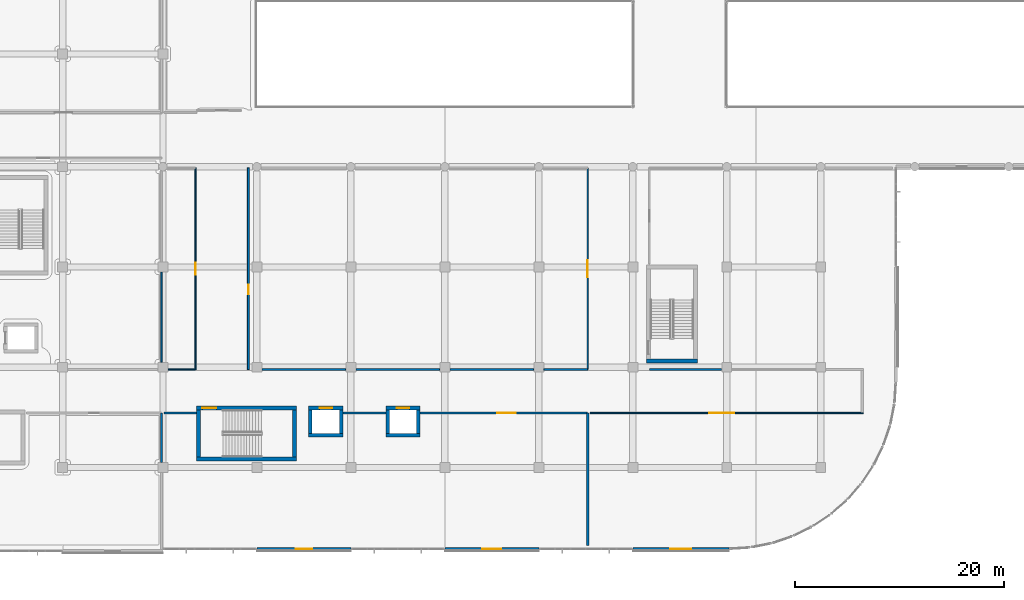
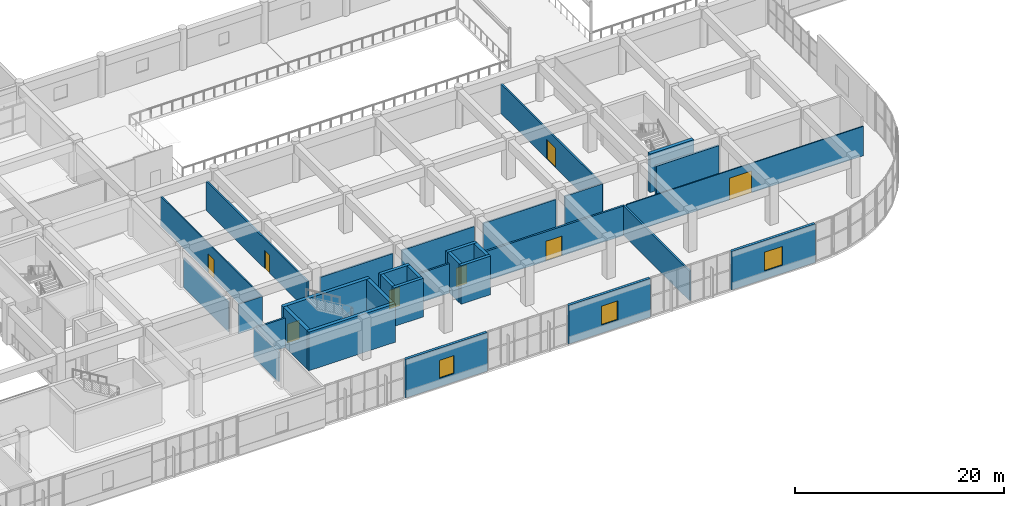
# One storey, part 54 of 86: 32 walls, 8 doors, 3 windows, 11 openings.
"""IFC4 building model written with IfcOpenShell, lengths in metres."""

from ifc_helpers import new_model, si_unit, direction, frame, frame_2d, origin, place, context, subcontext, project, spatial, rectangle, extrude, material, layer, layer_set, type_object, element, fill, save


model = new_model("IFC4")

# Units and contexts
model_context = context("Model", 3, precision=1e-05, world=origin(), true_north=direction((0.0, 1.0)))
body_context = subcontext(model_context, "Body", "Model", "MODEL_VIEW")
ifc_project = project(units=[si_unit("LENGTHUNIT", "METRE"), si_unit("AREAUNIT", "SQUARE_METRE"), si_unit("VOLUMEUNIT", "CUBIC_METRE"), si_unit("PLANEANGLEUNIT", "RADIAN"), si_unit("MASSUNIT", "GRAM", prefix="KILO")], contexts=[model_context])

# Site, building, storey
site_placement = place(None, origin())
site = spatial("IfcSite", under=ifc_project, at=site_placement, CompositionType="ELEMENT")
building_placement = place(site_placement, origin())
building = spatial("IfcBuilding", under=site, at=building_placement, Name="Cendralis Terraced Arcade", CompositionType="ELEMENT")
storey_placement = place(building_placement, frame((0.0, 0.0, 5.39990234375)))
storey = spatial("IfcBuildingStorey", under=building, at=storey_placement, Name="L01", CompositionType="ELEMENT", Elevation=5.39990234375)

# Walls
ifc_material_1 = material(Name="Gypsum plasterboard acoustic partition", Category="concrete")
ifc_layer_1 = layer(ifc_material_1, 0.195068359375, Name="WL-ACOU-195")
ifc_layer_set_1 = layer_set([ifc_layer_1], Name="Gypsum plasterboard acoustic partition")
wall_type_1 = type_object("IfcWallType", Name="WL-ACOU-195", PredefinedType="PARTITIONING", material=ifc_layer_set_1)
wall_1_placement = place(storey_placement, frame((67.320068359375, 14.820068359375, 0.0), z_axis=(0.0, 0.0, 1.0), x_axis=(1.0, 0.0, 0.0)))
element("IfcWall", 1, at=wall_1_placement, inside=storey, type_object=wall_type_1, Name="Interior Partition Wall IW-L01-0384", PredefinedType="PARTITIONING", context=body_context, shape_type="SweptSolid", body=[
    extrude(rectangle(XDim=3.099853515625, YDim=0.195068359375, at=frame_2d((1.5498046875, 0.0))), origin(), (0.0, 0.0, 1.0), 3.445068359375),
])
ifc_layer_2 = layer(ifc_material_1, 0.199951171875, Name="WL-ACOU-200")
ifc_layer_set_2 = layer_set([ifc_layer_2], Name="Gypsum plasterboard acoustic partition")
wall_type_2 = type_object("IfcWallType", Name="WL-ACOU-200", PredefinedType="PARTITIONING", material=ifc_layer_set_2)
wall_2_placement = place(storey_placement, frame((84.43994140625, 14.820068359375, 0.0), z_axis=(0.0, 0.0, 1.0), x_axis=(1.0, 0.0, 0.0)))
element("IfcWall", 2, at=wall_2_placement, inside=storey, type_object=wall_type_2, Name="Interior Partition Wall IW-L01-0383", PredefinedType="PARTITIONING", context=body_context, shape_type="SweptSolid", body=[
    extrude(rectangle(XDim=4.1201171875, YDim=0.199951171875, at=frame_2d((2.06005859375, 0.0))), origin(), (0.0, 0.0, 1.0), 3.445068359375),
])
ifc_layer_3 = layer(ifc_material_1, 0.205078125, Name="WL-ACOU-205")
ifc_layer_set_3 = layer_set([ifc_layer_3], Name="Gypsum plasterboard acoustic partition")
wall_type_3 = type_object("IfcWallType", Name="WL-ACOU-205", PredefinedType="PARTITIONING", material=ifc_layer_set_3)
wall_3_placement = place(storey_placement, frame((67.080078125, 14.820068359375, 0.0), z_axis=(0.0, 0.0, 1.0), x_axis=(0.0, -1.0, 0.0)))
element("IfcWall", 3, at=wall_3_placement, inside=storey, type_object=wall_type_3, Name="Interior Partition Wall IW-L01-0340", PredefinedType="PARTITIONING", context=body_context, shape_type="SweptSolid", body=[
    extrude(rectangle(XDim=4.72509765625, YDim=0.205078125, at=frame_2d((2.362548828125, 0.0))), origin(), (0.0, 0.0, 1.0), 3.445068359375),
])
wall_4_placement = place(storey_placement, frame((107.8798828125, 14.820068359375, 0.0), z_axis=(0.0, 0.0, 1.0), x_axis=(0.0, -1.0, 0.0)))
element("IfcWall", 4, at=wall_4_placement, inside=storey, type_object=wall_type_3, Name="Interior Partition Wall IW-L01-0382", PredefinedType="PARTITIONING", context=body_context, shape_type="SweptSolid", body=[
    extrude(rectangle(XDim=12.68017578125, YDim=0.205078125, at=frame_2d((6.340087890625, 0.0))), origin(), (0.0, 0.0, 1.0), 3.445068359375),
])

# Wall, opening, door
ifc_layer_4 = layer(ifc_material_1, 0.2099609375, Name="WL-ACOU-210")
ifc_layer_set_4 = layer_set([ifc_layer_4], Name="Gypsum plasterboard acoustic partition")
wall_type_4 = type_object("IfcWallType", Name="WL-ACOU-210", PredefinedType="PARTITIONING", material=ifc_layer_set_4)
wall_5_placement = place(storey_placement, frame((91.840087890625, 14.820068359375, 0.0), z_axis=(0.0, 0.0, 1.0), x_axis=(1.0, 0.0, 0.0)))
wall_5 = element("IfcWall", 5, at=wall_5_placement, inside=storey, type_object=wall_type_4, Name="Interior Partition Wall IW-L01-0381", PredefinedType="PARTITIONING", context=body_context, shape_type="SweptSolid", body=[
    extrude(rectangle(XDim=16.039794921875, YDim=0.2099609375, at=frame_2d((8.02001953125, 0.0))), origin(), (0.0, 0.0, 1.0), 3.445068359375),
])
opening_1_placement = place(wall_5_placement, frame((7.36328125, 0.0, 0.0)))
opening_1 = element("IfcOpeningElement", 6, at=opening_1_placement, cuts=wall_5, Name="Opening D-L01-107", PredefinedType="OPENING", context=body_context, shape_type="SweptSolid", body=[
    extrude(rectangle(XDim=1.780029296875, YDim=2.320068359375, at=frame_2d((0.89013671875, 1.16015625))), frame((0.0, 0.116943359375, 0.0), z_axis=(0.0, -1.0, 0.0), x_axis=(1.0, 0.0, 0.0)), (0.0, 0.0, 1.0), 0.23388671875),
])
ifc_material_2 = material(Name="Solid core Andean oak veneer door leaf", Category="aluminium")
door_type_1 = type_object("IfcDoorType", Name="ID-DEP-1780x2320", OperationType="DOUBLE_DOOR_SINGLE_SWING", PredefinedType="DOOR", material=ifc_material_2)
door_1_placement = place(opening_1_placement, origin())
door_1 = element("IfcDoor", 7, at=door_1_placement, inside=storey, type_object=door_type_1, Name="Gourmet Market Stalls and Tea Salon Door D-L01-107", OperationType="DOUBLE_DOOR_SINGLE_SWING", OverallHeight=2.320068359375, OverallWidth=1.780029296875, PredefinedType="DOOR", context=body_context, shape_type="SweptSolid", body=[
    extrude(rectangle(XDim=1.780029296875, YDim=2.320068359375, at=frame_2d((0.89013671875, 1.16015625))), frame((0.0, 0.02490234375, 0.0), z_axis=(0.0, -1.0, 0.0), x_axis=(1.0, 0.0, 0.0)), (0.0, 0.0, 1.0), 0.050048828125),
])
fill(opening_1, door_1)

# Walls
ifc_material_3 = material(Name="Autoclaved aerated concrete blockwork", Category="masonry")
ifc_layer_5 = layer(ifc_material_3, 0.22802734375, Name="WL-ACOU-228")
ifc_layer_set_5 = layer_set([ifc_layer_5], Name="Autoclaved aerated concrete blockwork")
wall_type_5 = type_object("IfcWallType", Name="WL-ACOU-228", PredefinedType="PARTITIONING", material=ifc_layer_set_5)
wall_6_placement = place(storey_placement, frame((120.705078125, 18.97998046875, 0.0), z_axis=(0.0, 0.0, 1.0), x_axis=(-1.0, 0.0, 0.0)))
element("IfcWall", 8, at=wall_6_placement, inside=storey, type_object=wall_type_5, Name="Interior Partition Wall IW-L01-0402", PredefinedType="PARTITIONING", context=body_context, shape_type="SweptSolid", body=[
    extrude(rectangle(XDim=6.925048828125, YDim=0.22802734375, at=frame_2d((3.46240234375, 0.0))), origin(), (0.0, 0.0, 1.0), 3.445068359375),
])
ifc_material_4 = material(Name="Concrete f'c 42 MPa", Category="concrete")
ifc_layer_6 = layer(ifc_material_4, 0.340087890625, Name="WL-CORE-340")
ifc_layer_set_6 = layer_set([ifc_layer_6], Name="Concrete f'c 42 MPa")
wall_type_6 = type_object("IfcWallType", Name="WL-CORE-340", PredefinedType="SHEAR", material=ifc_layer_set_6)
wall_7_placement = place(storey_placement, frame((81.159912109375, 12.705078125, 0.0), z_axis=(0.0, 0.0, 1.0), x_axis=(1.0, 0.0, 0.0)))
element("IfcWall", 9, at=wall_7_placement, inside=storey, type_object=wall_type_6, Name="Lift PL-07 Reinforced Concrete Shaft Wall (L01)", PredefinedType="SHEAR", context=body_context, shape_type="SweptSolid", body=[
    extrude(rectangle(XDim=3.280029296875, YDim=0.340087890625, at=frame_2d((1.64013671875, 0.0))), origin(), (0.0, 0.0, 1.0), 4.505126953125),
])

# Wall, opening, door
wall_8_placement = place(storey_placement, frame((81.159912109375, 15.294921875, 0.0), z_axis=(0.0, 0.0, 1.0), x_axis=(1.0, 0.0, 0.0)))
wall_8 = element("IfcWall", 10, at=wall_8_placement, inside=storey, type_object=wall_type_6, Name="Lift PL-07 Reinforced Concrete Shaft Wall (L01)", PredefinedType="SHEAR", context=body_context, shape_type="SweptSolid", body=[
    extrude(rectangle(XDim=3.280029296875, YDim=0.340087890625, at=frame_2d((1.64013671875, 0.0))), origin(), (0.0, 0.0, 1.0), 4.505126953125),
])
opening_2_placement = place(wall_8_placement, frame((1.0400390625, 0.0, 0.0)))
opening_2 = element("IfcOpeningElement", 11, at=opening_2_placement, cuts=wall_8, Name="Opening LD-PL-07-L01", PredefinedType="OPENING", context=body_context, shape_type="SweptSolid", body=[
    extrude(rectangle(XDim=1.199951171875, YDim=2.199951171875, at=frame_2d((0.60009765625, 1.10009765625))), frame((0.0, 0.18212890625, 0.0), z_axis=(0.0, -1.0, 0.0), x_axis=(1.0, 0.0, 0.0)), (0.0, 0.0, 1.0), 0.364013671875),
])
ifc_material_5 = material(Name="Anodised aluminium sliding door assembly", Category="aluminium")
door_type_2 = type_object("IfcDoorType", Name="ID-LD-PX-1200x2200", OperationType="DOUBLE_DOOR_SLIDING", PredefinedType="DOOR", material=ifc_material_5)
door_2_placement = place(opening_2_placement, origin())
door_2 = element("IfcDoor", 12, at=door_2_placement, inside=storey, type_object=door_type_2, Name="Lift PL-07 Sliding Landing Door (L01)", OperationType="DOUBLE_DOOR_SLIDING", OverallHeight=2.199951171875, OverallWidth=1.199951171875, PredefinedType="DOOR", context=body_context, shape_type="SweptSolid", body=[
    extrude(rectangle(XDim=1.199951171875, YDim=2.199951171875, at=frame_2d((0.60009765625, 1.10009765625))), frame((0.0, 0.02490234375, 0.0), z_axis=(0.0, -1.0, 0.0), x_axis=(1.0, 0.0, 0.0)), (0.0, 0.0, 1.0), 0.050048828125),
])
fill(opening_2, door_2)

# Walls
for number, where, z_axis, x_axis, name in (
    (13, (81.330078125, 12.875, 0.0), (0.0, 0.0, 1.0), (0.0, 1.0, 0.0), "Lift PL-07 Reinforced Concrete Shaft Wall (L01)"),
    (14, (84.27001953125, 12.875, 0.0), (0.0, 0.0, 1.0), (0.0, 1.0, 0.0), "Lift PL-07 Reinforced Concrete Shaft Wall (L01)"),
):
    element("IfcWall", number, at=place(storey_placement, frame(where, z_axis=z_axis, x_axis=x_axis)), inside=storey, type_object=wall_type_6, Name=name, PredefinedType="SHEAR", context=body_context, shape_type="SweptSolid", body=[
        extrude(rectangle(XDim=2.25, YDim=0.340087890625, at=frame_2d((1.125, 0.0))), origin(), (0.0, 0.0, 1.0), 4.505126953125),
    ])
wall_9_placement = place(storey_placement, frame((88.56005859375, 12.705078125, 0.0), z_axis=(0.0, 0.0, 1.0), x_axis=(1.0, 0.0, 0.0)))
element("IfcWall", 15, at=wall_9_placement, inside=storey, type_object=wall_type_6, Name="Lift PL-08 Reinforced Concrete Shaft Wall (L01)", PredefinedType="SHEAR", context=body_context, shape_type="SweptSolid", body=[
    extrude(rectangle(XDim=3.280029296875, YDim=0.340087890625, at=frame_2d((1.64013671875, 0.0))), origin(), (0.0, 0.0, 1.0), 4.505126953125),
])

# Wall, opening, door
wall_10_placement = place(storey_placement, frame((88.56005859375, 15.294921875, 0.0), z_axis=(0.0, 0.0, 1.0), x_axis=(1.0, 0.0, 0.0)))
wall_10 = element("IfcWall", 16, at=wall_10_placement, inside=storey, type_object=wall_type_6, Name="Lift PL-08 Reinforced Concrete Shaft Wall (L01)", PredefinedType="SHEAR", context=body_context, shape_type="SweptSolid", body=[
    extrude(rectangle(XDim=3.280029296875, YDim=0.340087890625, at=frame_2d((1.64013671875, 0.0))), origin(), (0.0, 0.0, 1.0), 4.505126953125),
])
opening_3_placement = place(wall_10_placement, frame((1.0400390625, 0.0, 0.0)))
opening_3 = element("IfcOpeningElement", 17, at=opening_3_placement, cuts=wall_10, Name="Opening LD-PL-08-L01", PredefinedType="OPENING", context=body_context, shape_type="SweptSolid", body=[
    extrude(rectangle(XDim=1.199951171875, YDim=2.199951171875, at=frame_2d((0.60009765625, 1.10009765625))), frame((0.0, 0.18212890625, 0.0), z_axis=(0.0, -1.0, 0.0), x_axis=(1.0, 0.0, 0.0)), (0.0, 0.0, 1.0), 0.364013671875),
])
door_3_placement = place(opening_3_placement, origin())
door_3 = element("IfcDoor", 18, at=door_3_placement, inside=storey, type_object=door_type_2, Name="Lift PL-08 Sliding Landing Door (L01)", OperationType="DOUBLE_DOOR_SLIDING", OverallHeight=2.199951171875, OverallWidth=1.199951171875, PredefinedType="DOOR", context=body_context, shape_type="SweptSolid", body=[
    extrude(rectangle(XDim=1.199951171875, YDim=2.199951171875, at=frame_2d((0.60009765625, 1.10009765625))), frame((0.0, 0.02490234375, 0.0), z_axis=(0.0, -1.0, 0.0), x_axis=(1.0, 0.0, 0.0)), (0.0, 0.0, 1.0), 0.050048828125),
])
fill(opening_3, door_3)

# Walls
for number, where, z_axis, x_axis, name in (
    (19, (88.72998046875, 12.875, 0.0), (0.0, 0.0, 1.0), (0.0, 1.0, 0.0), "Lift PL-08 Reinforced Concrete Shaft Wall (L01)"),
    (20, (91.669921875, 12.875, 0.0), (0.0, 0.0, 1.0), (0.0, 1.0, 0.0), "Lift PL-08 Reinforced Concrete Shaft Wall (L01)"),
):
    element("IfcWall", number, at=place(storey_placement, frame(where, z_axis=z_axis, x_axis=x_axis)), inside=storey, type_object=wall_type_6, Name=name, PredefinedType="SHEAR", context=body_context, shape_type="SweptSolid", body=[
        extrude(rectangle(XDim=2.25, YDim=0.340087890625, at=frame_2d((1.125, 0.0))), origin(), (0.0, 0.0, 1.0), 4.505126953125),
    ])
ifc_layer_7 = layer(ifc_material_4, 0.3798828125, Name="WL-CORE-380")
ifc_layer_set_7 = layer_set([ifc_layer_7], Name="Concrete f'c 42 MPa")
wall_type_7 = type_object("IfcWallType", Name="WL-CORE-380", PredefinedType="SHEAR", material=ifc_layer_set_7)
wall_11_placement = place(storey_placement, frame((70.419921875, 10.409912109375, 0.0), z_axis=(0.0, 0.0, 1.0), x_axis=(1.0, 0.0, 0.0)))
element("IfcWall", 21, at=wall_11_placement, inside=storey, type_object=wall_type_7, Name="Stair Core Reinforced Concrete Shear Wall SW-ST-08-L01-S", PredefinedType="SHEAR", context=body_context, shape_type="SweptSolid", body=[
    extrude(rectangle(XDim=9.56005859375, YDim=0.3798828125, at=frame_2d((4.780029296875, 0.0))), origin(), (0.0, 0.0, 1.0), 4.505126953125),
])

# Wall, opening, door
wall_12_placement = place(storey_placement, frame((70.419921875, 15.2900390625, 0.0), z_axis=(0.0, 0.0, 1.0), x_axis=(1.0, 0.0, 0.0)))
wall_12 = element("IfcWall", 22, at=wall_12_placement, inside=storey, type_object=wall_type_7, Name="Stair Core Reinforced Concrete Shear Wall SW-ST-08-L01-N", PredefinedType="SHEAR", context=body_context, shape_type="SweptSolid", body=[
    extrude(rectangle(XDim=9.56005859375, YDim=0.3798828125, at=frame_2d((4.780029296875, 0.0))), origin(), (0.0, 0.0, 1.0), 4.505126953125),
])
opening_4_placement = place(wall_12_placement, frame((0.550048828125, 0.0, 0.0)))
opening_4 = element("IfcOpeningElement", 23, at=opening_4_placement, cuts=wall_12, Name="Opening D-ST-08-L01", PredefinedType="OPENING", context=body_context, shape_type="SweptSolid", body=[
    extrude(rectangle(XDim=1.35009765625, YDim=2.199951171875, at=frame_2d((0.675048828125, 1.10009765625))), frame((0.0, 0.201904296875, 0.0), z_axis=(0.0, -1.0, 0.0), x_axis=(1.0, 0.0, 0.0)), (0.0, 0.0, 1.0), 0.40380859375),
])
ifc_material_6 = material(Name="Galvanised fire-rated steel door assembly", Category="steel")
door_type_3 = type_object("IfcDoorType", Name="ID-ST-1350x2200", OperationType="NOTDEFINED", PredefinedType="DOOR", material=ifc_material_6)
door_4_placement = place(opening_4_placement, frame((1.35009765625, 0.0, 0.0), z_axis=(0.0, 0.0, 1.0), x_axis=(-1.0, 0.0, 0.0)))
door_4 = element("IfcDoor", 24, at=door_4_placement, inside=storey, type_object=door_type_3, Name="Protected Stair ST-08 Fire Door (L01)", OperationType="SINGLE_SWING_LEFT", OverallHeight=2.199951171875, OverallWidth=1.35009765625, PredefinedType="DOOR", context=body_context, shape_type="SweptSolid", body=[
    extrude(rectangle(XDim=1.35009765625, YDim=2.199951171875, at=frame_2d((0.675048828125, 1.10009765625))), frame((0.0, 0.02490234375, 0.0), z_axis=(0.0, -1.0, 0.0), x_axis=(1.0, 0.0, 0.0)), (0.0, 0.0, 1.0), 0.050048828125),
])
fill(opening_4, door_4)

# Walls
for number, where, z_axis, x_axis, name in (
    (25, (79.7900390625, 10.60009765625, 0.0), (0.0, 0.0, 1.0), (0.0, 1.0, 0.0), "Stair Core Reinforced Concrete Shear Wall SW-ST-08-L01-E"),
    (26, (70.610107421875, 10.60009765625, 0.0), (0.0, 0.0, 1.0), (0.0, 1.0, 0.0), "Stair Core Reinforced Concrete Shear Wall SW-ST-08-L01-W"),
):
    element("IfcWall", number, at=place(storey_placement, frame(where, z_axis=z_axis, x_axis=x_axis)), inside=storey, type_object=wall_type_7, Name=name, PredefinedType="SHEAR", context=body_context, shape_type="SweptSolid", body=[
        extrude(rectangle(XDim=4.5, YDim=0.3798828125, at=frame_2d((2.25, 0.0))), origin(), (0.0, 0.0, 1.0), 4.505126953125),
    ])
wall_13_placement = place(storey_placement, frame((113.52001953125, 19.81005859375, 0.0), z_axis=(0.0, 0.0, 1.0), x_axis=(1.0, 0.0, 0.0)))
element("IfcWall", 27, at=wall_13_placement, inside=storey, type_object=wall_type_7, Name="Stair Core Reinforced Concrete Shear Wall SW-ST-09-L01-S", PredefinedType="SHEAR", context=body_context, shape_type="SweptSolid", body=[
    extrude(rectangle(XDim=4.85986328125, YDim=0.3798828125, at=frame_2d((2.429931640625, 0.0))), origin(), (0.0, 0.0, 1.0), 4.505126953125),
])

# Wall, opening, window
ifc_material_7 = material(Name="Terracotta clay masonry", Category="masonry")
ifc_layer_8 = layer(ifc_material_7, 0.2900390625, Name="WL-EXT-TER-290")
ifc_layer_set_8 = layer_set([ifc_layer_8], Name="Terracotta clay masonry")
wall_type_8 = type_object("IfcWallType", Name="WL-EXT-TER-290", PredefinedType="SOLIDWALL", material=ifc_layer_set_8)
wall_14_placement = place(storey_placement, frame((121.39990234375, 1.800048828125, 0.0), z_axis=(0.0, 0.0, 1.0), x_axis=(-1.0, 0.0, 0.0)))
wall_14 = element("IfcWall", 28, at=wall_14_placement, inside=storey, type_object=wall_type_8, Name="Exterior Architectural Wall EW-L01-0119", PredefinedType="SOLIDWALL", context=body_context, shape_type="SweptSolid", body=[
    extrude(rectangle(XDim=9.199951171875, YDim=0.2900390625, at=frame_2d((4.60009765625, 0.0))), origin(), (0.0, 0.0, 1.0), 4.505126953125),
])
opening_5_placement = place(wall_14_placement, frame((3.60009765625, 0.0, 0.949951171875)))
opening_5 = element("IfcOpeningElement", 29, at=opening_5_placement, cuts=wall_14, Name="Opening W-03", PredefinedType="OPENING", context=body_context, shape_type="SweptSolid", body=[
    extrude(rectangle(XDim=2.0, YDim=2.199951171875, at=frame_2d((1.0, 1.10009765625))), frame((0.0, 0.156982421875, 0.0), z_axis=(0.0, -1.0, 0.0), x_axis=(1.0, 0.0, 0.0)), (0.0, 0.0, 1.0), 0.31396484375),
])
ifc_material_8 = material(Name="Tempered solar control laminated glass", Category="glass")
window_type_1 = type_object("IfcWindowType", Name="WN-F1-2000x2200", PartitioningType="SINGLE_PANEL", PredefinedType="WINDOW", material=ifc_material_8)
window_1_placement = place(opening_5_placement, origin())
window_1 = element("IfcWindow", 30, at=window_1_placement, inside=storey, type_object=window_type_1, Name="Exterior Solar-Control Window WN-L01-0071", OverallHeight=2.199951171875, OverallWidth=2.0, PartitioningType="SINGLE_PANEL", PredefinedType="WINDOW", context=body_context, shape_type="SweptSolid", body=[
    extrude(rectangle(XDim=2.0, YDim=2.199951171875, at=frame_2d((1.0, 1.10009765625))), frame((0.0, 0.030029296875, 0.0), z_axis=(0.0, -1.0, 0.0), x_axis=(1.0, 0.0, 0.0)), (0.0, 0.0, 1.0), 0.06005859375),
])
fill(opening_5, window_1)

wall_15_placement = place(storey_placement, frame((103.199951171875, 1.800048828125, 0.0), z_axis=(0.0, 0.0, 1.0), x_axis=(-1.0, 0.0, 0.0)))
wall_15 = element("IfcWall", 31, at=wall_15_placement, inside=storey, type_object=wall_type_8, Name="Exterior Architectural Wall EW-L01-0120", PredefinedType="SOLIDWALL", context=body_context, shape_type="SweptSolid", body=[
    extrude(rectangle(XDim=9.0, YDim=0.2900390625, at=frame_2d((4.5, 0.0))), origin(), (0.0, 0.0, 1.0), 4.505126953125),
])
opening_6_placement = place(wall_15_placement, frame((3.60009765625, 0.0, 0.949951171875)))
opening_6 = element("IfcOpeningElement", 32, at=opening_6_placement, cuts=wall_15, Name="Opening W-04", PredefinedType="OPENING", context=body_context, shape_type="SweptSolid", body=[
    extrude(rectangle(XDim=1.800048828125, YDim=2.199951171875, at=frame_2d((0.89990234375, 1.10009765625))), frame((0.0, 0.156982421875, 0.0), z_axis=(0.0, -1.0, 0.0), x_axis=(1.0, 0.0, 0.0)), (0.0, 0.0, 1.0), 0.31396484375),
])
window_type_2 = type_object("IfcWindowType", Name="WN-F1-1800x2200", PartitioningType="SINGLE_PANEL", PredefinedType="WINDOW", material=ifc_material_8)
window_2_placement = place(opening_6_placement, origin())
window_2 = element("IfcWindow", 33, at=window_2_placement, inside=storey, type_object=window_type_2, Name="Exterior Solar-Control Window WN-L01-0072", OverallHeight=2.199951171875, OverallWidth=1.800048828125, PartitioningType="SINGLE_PANEL", PredefinedType="WINDOW", context=body_context, shape_type="SweptSolid", body=[
    extrude(rectangle(XDim=1.800048828125, YDim=2.199951171875, at=frame_2d((0.89990234375, 1.10009765625))), frame((0.0, 0.030029296875, 0.0), z_axis=(0.0, -1.0, 0.0), x_axis=(1.0, 0.0, 0.0)), (0.0, 0.0, 1.0), 0.06005859375),
])
fill(opening_6, window_2)

wall_16_placement = place(storey_placement, frame((85.199951171875, 1.800048828125, 0.0), z_axis=(0.0, 0.0, 1.0), x_axis=(-1.0, 0.0, 0.0)))
wall_16 = element("IfcWall", 34, at=wall_16_placement, inside=storey, type_object=wall_type_8, Name="Exterior Architectural Wall EW-L01-0121", PredefinedType="SOLIDWALL", context=body_context, shape_type="SweptSolid", body=[
    extrude(rectangle(XDim=9.0, YDim=0.2900390625, at=frame_2d((4.5, 0.0))), origin(), (0.0, 0.0, 1.0), 4.505126953125),
])
opening_7_placement = place(wall_16_placement, frame((3.699951171875, 0.0, 1.0)))
opening_7 = element("IfcOpeningElement", 35, at=opening_7_placement, cuts=wall_16, Name="Opening W-05", PredefinedType="OPENING", context=body_context, shape_type="SweptSolid", body=[
    extrude(rectangle(XDim=1.60009765625, YDim=2.10009765625, at=frame_2d((0.800048828125, 1.050048828125))), frame((0.0, 0.156982421875, 0.0), z_axis=(0.0, -1.0, 0.0), x_axis=(1.0, 0.0, 0.0)), (0.0, 0.0, 1.0), 0.31396484375),
])
window_type_3 = type_object("IfcWindowType", Name="WN-F1-1600x2100", PartitioningType="SINGLE_PANEL", PredefinedType="WINDOW", material=ifc_material_8)
window_3_placement = place(opening_7_placement, origin())
window_3 = element("IfcWindow", 36, at=window_3_placement, inside=storey, type_object=window_type_3, Name="Exterior Solar-Control Window WN-L01-0073", OverallHeight=2.10009765625, OverallWidth=1.60009765625, PartitioningType="SINGLE_PANEL", PredefinedType="WINDOW", context=body_context, shape_type="SweptSolid", body=[
    extrude(rectangle(XDim=1.60009765625, YDim=2.10009765625, at=frame_2d((0.800048828125, 1.050048828125))), frame((0.0, 0.030029296875, 0.0), z_axis=(0.0, -1.0, 0.0), x_axis=(1.0, 0.0, 0.0)), (0.0, 0.0, 1.0), 0.06005859375),
])
fill(opening_7, window_3)

# Wall, opening, door
ifc_layer_9 = layer(ifc_material_1, 0.117919921875, Name="WL-PART-118")
ifc_layer_set_9 = layer_set([ifc_layer_9], Name="Gypsum plasterboard acoustic partition")
wall_type_9 = type_object("IfcWallType", Name="WL-PART-118", PredefinedType="PARTITIONING", material=ifc_layer_set_9)
wall_17_placement = place(storey_placement, frame((108.1201171875, 14.820068359375, 0.0), z_axis=(0.0, 0.0, 1.0), x_axis=(1.0, 0.0, 0.0)))
wall_17 = element("IfcWall", 37, at=wall_17_placement, inside=storey, type_object=wall_type_9, Name="Interior Partition Wall IW-L01-0398", PredefinedType="PARTITIONING", context=body_context, shape_type="SweptSolid", body=[
    extrude(rectangle(XDim=26.164794921875, YDim=0.117919921875, at=frame_2d((13.08251953125, 0.0))), origin(), (0.0, 0.0, 1.0), 3.445068359375),
])
opening_8_placement = place(wall_17_placement, frame((11.39990234375, 0.0, 0.0)))
opening_8 = element("IfcOpeningElement", 38, at=opening_8_placement, cuts=wall_17, Name="Opening D-L01-111", PredefinedType="OPENING", context=body_context, shape_type="SweptSolid", body=[
    extrude(rectangle(XDim=2.39990234375, YDim=2.550048828125, at=frame_2d((1.199951171875, 1.27490234375))), frame((0.0, 0.07080078125, 0.0), z_axis=(0.0, -1.0, 0.0), x_axis=(1.0, 0.0, 0.0)), (0.0, 0.0, 1.0), 0.141845703125),
])
door_type_4 = type_object("IfcDoorType", Name="ID-DEP-2400x2550", OperationType="DOUBLE_DOOR_SINGLE_SWING", PredefinedType="DOOR", material=ifc_material_2)
door_5_placement = place(opening_8_placement, origin())
door_5 = element("IfcDoor", 39, at=door_5_placement, inside=storey, type_object=door_type_4, Name="Specialty Patisserie and Wine Gallery Door D-L01-111", OperationType="DOUBLE_DOOR_SINGLE_SWING", OverallHeight=2.550048828125, OverallWidth=2.39990234375, PredefinedType="DOOR", context=body_context, shape_type="SweptSolid", body=[
    extrude(rectangle(XDim=2.39990234375, YDim=2.550048828125, at=frame_2d((1.199951171875, 1.27490234375))), frame((0.0, 0.02490234375, 0.0), z_axis=(0.0, -1.0, 0.0), x_axis=(1.0, 0.0, 0.0)), (0.0, 0.0, 1.0), 0.050048828125),
])
fill(opening_8, door_5)

# Wall
ifc_layer_10 = layer(ifc_material_1, 0.1259765625, Name="WL-PART-126")
ifc_layer_set_10 = layer_set([ifc_layer_10], Name="Gypsum plasterboard acoustic partition")
wall_type_10 = type_object("IfcWallType", Name="WL-PART-126", PredefinedType="PARTITIONING", material=ifc_layer_set_10)
wall_18_placement = place(storey_placement, frame((70.320068359375, 18.97998046875, 0.0), z_axis=(0.0, 0.0, 1.0), x_axis=(-1.0, 0.0, 0.0)))
element("IfcWall", 40, at=wall_18_placement, inside=storey, type_object=wall_type_10, Name="Interior Partition Wall IW-L01-0397", PredefinedType="PARTITIONING", context=body_context, shape_type="SweptSolid", body=[
    extrude(rectangle(XDim=2.625, YDim=0.1259765625, at=frame_2d((1.3125, 0.0))), origin(), (0.0, 0.0, 1.0), 3.445068359375),
])

# Wall, opening, door
ifc_layer_11 = layer(ifc_material_1, 0.134033203125, Name="WL-PART-134")
ifc_layer_set_11 = layer_set([ifc_layer_11], Name="Gypsum plasterboard acoustic partition")
wall_type_11 = type_object("IfcWallType", Name="WL-PART-134", PredefinedType="PARTITIONING", material=ifc_layer_set_11)
wall_19_placement = place(storey_placement, frame((70.320068359375, 38.280029296875, 0.0), z_axis=(0.0, 0.0, 1.0), x_axis=(0.0, -1.0, 0.0)))
wall_19 = element("IfcWall", 41, at=wall_19_placement, inside=storey, type_object=wall_type_11, Name="Interior Partition Wall IW-L01-0395", PredefinedType="PARTITIONING", context=body_context, shape_type="SweptSolid", body=[
    extrude(rectangle(XDim=19.300048828125, YDim=0.134033203125, at=frame_2d((9.64990234375, 0.0))), origin(), (0.0, 0.0, 1.0), 3.445068359375),
])
opening_9_placement = place(wall_19_placement, frame((9.074951171875, 0.0, 0.0)))
opening_9 = element("IfcOpeningElement", 42, at=opening_9_placement, cuts=wall_19, Name="Opening D-L01-110", PredefinedType="OPENING", context=body_context, shape_type="SweptSolid", body=[
    extrude(rectangle(XDim=1.14990234375, YDim=2.199951171875, at=frame_2d((0.574951171875, 1.10009765625))), frame((0.0, 0.0791015625, 0.0), z_axis=(0.0, -1.0, 0.0), x_axis=(1.0, 0.0, 0.0)), (0.0, 0.0, 1.0), 0.157958984375),
])
door_type_5 = type_object("IfcDoorType", Name="ID-RM-1150x2200", OperationType="NOTDEFINED", PredefinedType="DOOR", material=ifc_material_2)
door_6_placement = place(opening_9_placement, origin())
door_6 = element("IfcDoor", 43, at=door_6_placement, inside=storey, type_object=door_type_5, Name="Gourmet Market Stalls and Tea Salon Door D-L01-110", OperationType="SINGLE_SWING_LEFT", OverallHeight=2.199951171875, OverallWidth=1.14990234375, PredefinedType="DOOR", context=body_context, shape_type="SweptSolid", body=[
    extrude(rectangle(XDim=1.14990234375, YDim=2.199951171875, at=frame_2d((0.574951171875, 1.10009765625))), frame((0.0, 0.02490234375, 0.0), z_axis=(0.0, -1.0, 0.0), x_axis=(1.0, 0.0, 0.0)), (0.0, 0.0, 1.0), 0.050048828125),
])
fill(opening_9, door_6)

# Walls
ifc_layer_12 = layer(ifc_material_1, 0.137939453125, Name="WL-PART-138")
ifc_layer_set_12 = layer_set([ifc_layer_12], Name="Gypsum plasterboard acoustic partition")
wall_type_12 = type_object("IfcWallType", Name="WL-PART-138", PredefinedType="PARTITIONING", material=ifc_layer_set_12)
wall_20_placement = place(storey_placement, frame((67.080078125, 28.304931640625, 0.0), z_axis=(0.0, 0.0, 1.0), x_axis=(0.0, -1.0, 0.0)))
element("IfcWall", 44, at=wall_20_placement, inside=storey, type_object=wall_type_12, Name="Interior Partition Wall IW-L01-0352", PredefinedType="PARTITIONING", context=body_context, shape_type="SweptSolid", body=[
    extrude(rectangle(XDim=8.60986328125, YDim=0.137939453125, at=frame_2d((4.304931640625, 0.0))), origin(), (0.0, 0.0, 1.0), 3.445068359375),
])
ifc_layer_13 = layer(ifc_material_1, 0.159912109375, Name="WL-PART-160")
ifc_layer_set_13 = layer_set([ifc_layer_13], Name="Gypsum plasterboard acoustic partition")
wall_type_13 = type_object("IfcWallType", Name="WL-PART-160", PredefinedType="PARTITIONING", material=ifc_layer_set_13)
wall_21_placement = place(storey_placement, frame((107.8798828125, 18.97998046875, 0.0), z_axis=(0.0, 0.0, 1.0), x_axis=(-1.0, 0.0, 0.0)))
element("IfcWall", 45, at=wall_21_placement, inside=storey, type_object=wall_type_13, Name="Interior Partition Wall IW-L01-0390", PredefinedType="PARTITIONING", context=body_context, shape_type="SweptSolid", body=[
    extrude(rectangle(XDim=4.184814453125, YDim=0.159912109375, at=frame_2d((2.09228515625, 0.0))), origin(), (0.0, 0.0, 1.0), 3.445068359375),
])
ifc_layer_14 = layer(ifc_material_1, 0.1650390625, Name="WL-PART-165")
ifc_layer_set_14 = layer_set([ifc_layer_14], Name="Gypsum plasterboard acoustic partition")
wall_type_14 = type_object("IfcWallType", Name="WL-PART-165", PredefinedType="PARTITIONING", material=ifc_layer_set_14)
wall_22_placement = place(storey_placement, frame((102.705078125, 18.97998046875, 0.0), z_axis=(0.0, 0.0, 1.0), x_axis=(-1.0, 0.0, 0.0)))
element("IfcWall", 46, at=wall_22_placement, inside=storey, type_object=wall_type_14, Name="Interior Partition Wall IW-L01-0389", PredefinedType="PARTITIONING", context=body_context, shape_type="SweptSolid", body=[
    extrude(rectangle(XDim=8.010009765625, YDim=0.1650390625, at=frame_2d((4.0048828125, 0.0))), origin(), (0.0, 0.0, 1.0), 3.445068359375),
])
ifc_layer_15 = layer(ifc_material_1, 0.169921875, Name="WL-PART-170")
ifc_layer_set_15 = layer_set([ifc_layer_15], Name="Gypsum plasterboard acoustic partition")
wall_type_15 = type_object("IfcWallType", Name="WL-PART-170", PredefinedType="PARTITIONING", material=ifc_layer_set_15)
wall_23_placement = place(storey_placement, frame((93.705078125, 18.97998046875, 0.0), z_axis=(0.0, 0.0, 1.0), x_axis=(-1.0, 0.0, 0.0)))
element("IfcWall", 47, at=wall_23_placement, inside=storey, type_object=wall_type_15, Name="Interior Partition Wall IW-L01-0388", PredefinedType="PARTITIONING", context=body_context, shape_type="SweptSolid", body=[
    extrude(rectangle(XDim=8.010009765625, YDim=0.169921875, at=frame_2d((4.0048828125, 0.0))), origin(), (0.0, 0.0, 1.0), 3.445068359375),
])
ifc_layer_16 = layer(ifc_material_1, 0.175048828125, Name="WL-PART-175")
ifc_layer_set_16 = layer_set([ifc_layer_16], Name="Gypsum plasterboard acoustic partition")
wall_type_16 = type_object("IfcWallType", Name="WL-PART-175", PredefinedType="PARTITIONING", material=ifc_layer_set_16)
wall_24_placement = place(storey_placement, frame((84.705078125, 18.97998046875, 0.0), z_axis=(0.0, 0.0, 1.0), x_axis=(-1.0, 0.0, 0.0)))
element("IfcWall", 48, at=wall_24_placement, inside=storey, type_object=wall_type_16, Name="Interior Partition Wall IW-L01-0387", PredefinedType="PARTITIONING", context=body_context, shape_type="SweptSolid", body=[
    extrude(rectangle(XDim=8.010009765625, YDim=0.175048828125, at=frame_2d((4.0048828125, 0.0))), origin(), (0.0, 0.0, 1.0), 3.445068359375),
])

# Wall, opening, door
ifc_layer_17 = layer(ifc_material_1, 0.179931640625, Name="WL-PART-180")
ifc_layer_set_17 = layer_set([ifc_layer_17], Name="Gypsum plasterboard acoustic partition")
wall_type_17 = type_object("IfcWallType", Name="WL-PART-180", PredefinedType="PARTITIONING", material=ifc_layer_set_17)
wall_25_placement = place(storey_placement, frame((107.8798828125, 38.280029296875, 0.0), z_axis=(0.0, 0.0, 1.0), x_axis=(0.0, -1.0, 0.0)))
wall_25 = element("IfcWall", 49, at=wall_25_placement, inside=storey, type_object=wall_type_17, Name="Interior Partition Wall IW-L01-0386", PredefinedType="PARTITIONING", context=body_context, shape_type="SweptSolid", body=[
    extrude(rectangle(XDim=19.300048828125, YDim=0.179931640625, at=frame_2d((9.64990234375, 0.0))), origin(), (0.0, 0.0, 1.0), 3.445068359375),
])
opening_10_placement = place(wall_25_placement, frame((8.830078125, 0.0, 0.0)))
opening_10 = element("IfcOpeningElement", 50, at=opening_10_placement, cuts=wall_25, Name="Opening D-L01-109", PredefinedType="OPENING", context=body_context, shape_type="SweptSolid", body=[
    extrude(rectangle(XDim=1.639892578125, YDim=2.280029296875, at=frame_2d((0.81982421875, 1.14013671875))), frame((0.0, 0.10205078125, 0.0), z_axis=(0.0, -1.0, 0.0), x_axis=(1.0, 0.0, 0.0)), (0.0, 0.0, 1.0), 0.203857421875),
])
door_type_6 = type_object("IfcDoorType", Name="ID-DEP-1640x2280", OperationType="DOUBLE_DOOR_SINGLE_SWING", PredefinedType="DOOR", material=ifc_material_2)
door_7_placement = place(opening_10_placement, origin())
door_7 = element("IfcDoor", 51, at=door_7_placement, inside=storey, type_object=door_type_6, Name="Gourmet Market Stalls and Tea Salon Door D-L01-109", OperationType="DOUBLE_DOOR_SINGLE_SWING", OverallHeight=2.280029296875, OverallWidth=1.639892578125, PredefinedType="DOOR", context=body_context, shape_type="SweptSolid", body=[
    extrude(rectangle(XDim=1.639892578125, YDim=2.280029296875, at=frame_2d((0.81982421875, 1.14013671875))), frame((0.0, 0.02490234375, 0.0), z_axis=(0.0, -1.0, 0.0), x_axis=(1.0, 0.0, 0.0)), (0.0, 0.0, 1.0), 0.050048828125),
])
fill(opening_10, door_7)

ifc_layer_18 = layer(ifc_material_1, 0.18505859375, Name="WL-PART-185")
ifc_layer_set_18 = layer_set([ifc_layer_18], Name="Gypsum plasterboard acoustic partition")
wall_type_18 = type_object("IfcWallType", Name="WL-PART-185", PredefinedType="PARTITIONING", material=ifc_layer_set_18)
wall_26_placement = place(storey_placement, frame((75.3798828125, 18.97998046875, 0.0), z_axis=(0.0, 0.0, 1.0), x_axis=(0.0, 1.0, 0.0)))
wall_26 = element("IfcWall", 52, at=wall_26_placement, inside=storey, type_object=wall_type_18, Name="Interior Partition Wall IW-L01-0385", PredefinedType="PARTITIONING", context=body_context, shape_type="SweptSolid", body=[
    extrude(rectangle(XDim=19.300048828125, YDim=0.18505859375, at=frame_2d((9.64990234375, 0.0))), origin(), (0.0, 0.0, 1.0), 3.445068359375),
])
opening_11_placement = place(wall_26_placement, frame((7.18994140625, 0.0, 0.0)))
opening_11 = element("IfcOpeningElement", 53, at=opening_11_placement, cuts=wall_26, Name="Opening D-L01-108", PredefinedType="OPENING", context=body_context, shape_type="SweptSolid", body=[
    extrude(rectangle(XDim=0.919921875, YDim=2.10009765625, at=frame_2d((0.4599609375, 1.050048828125))), frame((0.0, 0.1044921875, 0.0), z_axis=(0.0, -1.0, 0.0), x_axis=(1.0, 0.0, 0.0)), (0.0, 0.0, 1.0), 0.208984375),
])
door_type_7 = type_object("IfcDoorType", Name="ID-RM-0920x2100", OperationType="NOTDEFINED", PredefinedType="DOOR", material=ifc_material_2)
door_8_placement = place(opening_11_placement, origin())
door_8 = element("IfcDoor", 54, at=door_8_placement, inside=storey, type_object=door_type_7, Name="Gourmet Market Stalls and Tea Salon Door D-L01-108", OperationType="SINGLE_SWING_RIGHT", OverallHeight=2.10009765625, OverallWidth=0.919921875, PredefinedType="DOOR", context=body_context, shape_type="SweptSolid", body=[
    extrude(rectangle(XDim=0.919921875, YDim=2.10009765625, at=frame_2d((0.4599609375, 1.050048828125))), frame((0.0, 0.02490234375, 0.0), z_axis=(0.0, -1.0, 0.0), x_axis=(1.0, 0.0, 0.0)), (0.0, 0.0, 1.0), 0.050048828125),
])
fill(opening_11, door_8)

save(model, "model.ifc")
